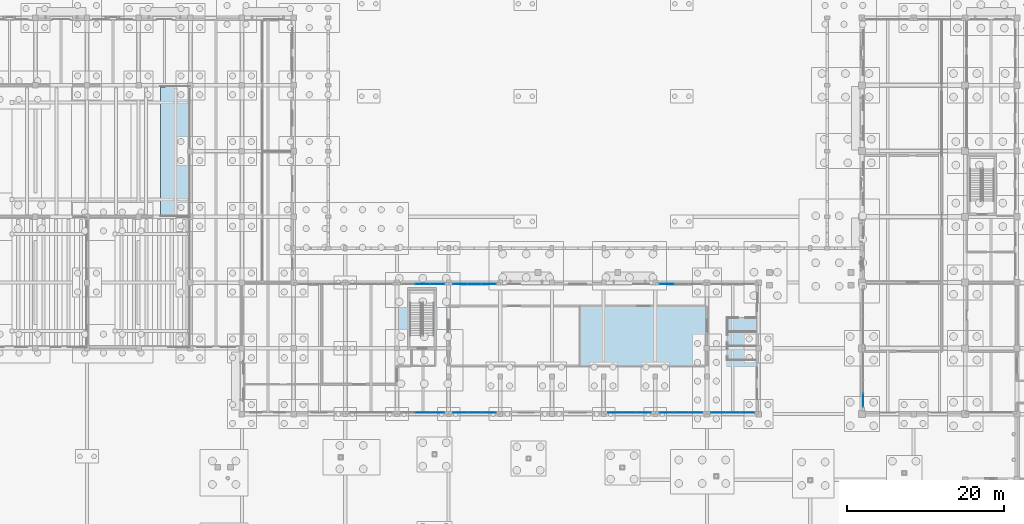
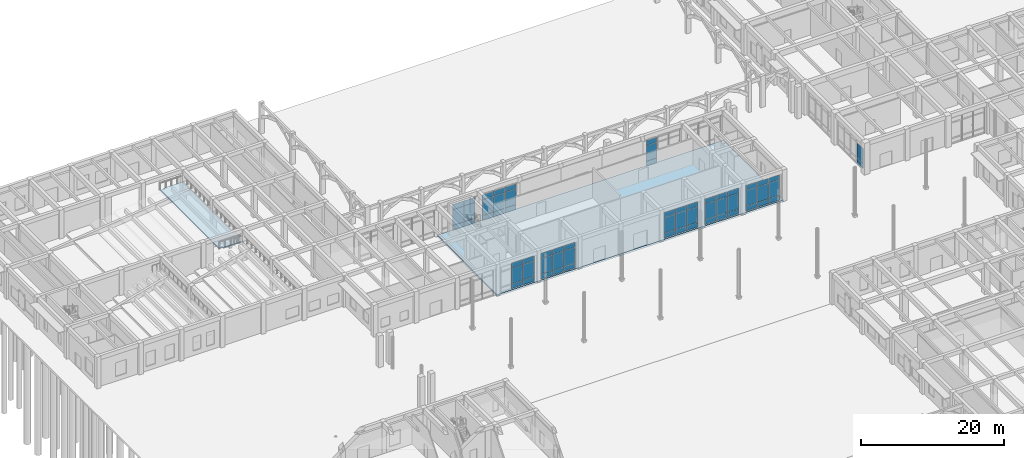
# One storey, part 44 of 82: 62 plates, 2 slabs, 9 elements without a shape of their own.
"""IFC4 building model written with IfcOpenShell, lengths in metres."""

from ifc_helpers import new_model, si_unit, direction, frame, origin, origin_2d, place, context, subcontext, project, spatial, polyline, rectangle, outline, extrude, material, layer, layer_set, type_object, element, aggregate, save


model = new_model("IFC4")

# Units and contexts
model_context = context("Model", 3, precision=1e-05, world=origin(), true_north=direction((0.0, 1.0)))
body_context = subcontext(model_context, "Body", "Model", "MODEL_VIEW")
ifc_project = project(units=[si_unit("LENGTHUNIT", "METRE"), si_unit("AREAUNIT", "SQUARE_METRE"), si_unit("VOLUMEUNIT", "CUBIC_METRE"), si_unit("PLANEANGLEUNIT", "RADIAN"), si_unit("MASSUNIT", "GRAM", prefix="KILO")], contexts=[model_context])

# Site, building, storey
site_placement = place(None, origin())
site = spatial("IfcSite", under=ifc_project, at=site_placement, CompositionType="ELEMENT")
building_placement = place(site_placement, origin())
building = spatial("IfcBuilding", under=site, at=building_placement, Name="Kolvaren Faculty of Natural Sciences", CompositionType="ELEMENT")
storey_placement = place(building_placement, origin())
storey = spatial("IfcBuildingStorey", under=building, at=storey_placement, Name="L00", CompositionType="ELEMENT", Elevation=0.0)

# Curtain wall, plates
ifc_material_1 = material(Name="Thermally broken anodised aluminium framing", Category="aluminium")
ifc_layer_1 = layer(ifc_material_1, 0.179931640625)
ifc_layer_set_1 = layer_set([ifc_layer_1], Name="Thermally broken anodised aluminium framing")
curtain_wall_type_1 = type_object("IfcCurtainWallType", Name="AtriumCurtainWall_CW01", PredefinedType="NOTDEFINED", material=ifc_layer_set_1)
curtain_wall_1_placement = place(storey_placement, origin())
curtain_wall_1 = element("IfcCurtainWall", 1, at=curtain_wall_1_placement, inside=storey, type_object=curtain_wall_type_1, Name="L00 unitised curtain wall CW-01 (CW-L00-001)", PredefinedType="NOTDEFINED")
ifc_material_2 = material(Name="Double low-E solar control insulated glazing", Category="glass")
ifc_layer_2 = layer(ifc_material_2, 0.035888671875)
ifc_layer_set_2 = layer_set([ifc_layer_2], Name="Double low-E solar control insulated glazing")
plate_type_1 = type_object("IfcPlateType", Name="EnvelopePlate_CWPGL1", PredefinedType="CURTAIN_PANEL", material=ifc_layer_set_2)
plate_1_placement = place(storey_placement, frame((104.333251953125, 67.570068359375, 0.919921875), z_axis=(0.0, 0.0, 1.0), x_axis=(-1.0, 0.0, 0.0)))
plate_1 = element("IfcPlate", 2, at=plate_1_placement, type_object=plate_type_1, Name="CW-L00-001 panel 1 V1", PredefinedType="CURTAIN_PANEL", context=body_context, shape_type="SweptSolid", body=[
    extrude(rectangle(XDim=1.783203125, YDim=0.035888671875, at=origin_2d()), origin(), (0.0, 0.0, 1.0), 2.64501953125),
])
plate_2_placement = place(storey_placement, frame((102.5, 67.570068359375, 0.919921875), z_axis=(0.0, 0.0, 1.0), x_axis=(-1.0, 0.0, 0.0)))
plate_2 = element("IfcPlate", 3, at=plate_2_placement, type_object=plate_type_1, Name="CW-L00-001 panel 2 V1", PredefinedType="CURTAIN_PANEL", context=body_context, shape_type="SweptSolid", body=[
    extrude(rectangle(XDim=1.783203125, YDim=0.035888671875, at=origin_2d()), origin(), (0.0, 0.0, 1.0), 2.64501953125),
])
plate_3_placement = place(storey_placement, frame((100.666748046875, 67.570068359375, 0.919921875), z_axis=(0.0, 0.0, 1.0), x_axis=(-1.0, 0.0, 0.0)))
plate_3 = element("IfcPlate", 4, at=plate_3_placement, type_object=plate_type_1, Name="CW-L00-001 panel 3 V1", PredefinedType="CURTAIN_PANEL", context=body_context, shape_type="SweptSolid", body=[
    extrude(rectangle(XDim=1.783203125, YDim=0.035888671875, at=origin_2d()), origin(), (0.0, 0.0, 1.0), 2.64501953125),
])

curtain_wall_2_placement = place(storey_placement, origin())
curtain_wall_2 = element("IfcCurtainWall", 5, at=curtain_wall_2_placement, inside=storey, type_object=curtain_wall_type_1, Name="L00 unitised curtain wall CW-01 (CW-L00-002)", PredefinedType="NOTDEFINED")
plate_4_placement = place(storey_placement, frame((97.7333984375, 67.570068359375, 0.919921875), z_axis=(0.0, 0.0, 1.0), x_axis=(-1.0, 0.0, 0.0)))
plate_4 = element("IfcPlate", 6, at=plate_4_placement, type_object=plate_type_1, Name="CW-L00-002 panel 1 V1", PredefinedType="CURTAIN_PANEL", context=body_context, shape_type="SweptSolid", body=[
    extrude(rectangle(XDim=1.783203125, YDim=0.035888671875, at=origin_2d()), origin(), (0.0, 0.0, 1.0), 2.64501953125),
])
plate_5_placement = place(storey_placement, frame((95.89990234375, 67.570068359375, 0.919921875), z_axis=(0.0, 0.0, 1.0), x_axis=(-1.0, 0.0, 0.0)))
plate_5 = element("IfcPlate", 7, at=plate_5_placement, type_object=plate_type_1, Name="CW-L00-002 panel 2 V1", PredefinedType="CURTAIN_PANEL", context=body_context, shape_type="SweptSolid", body=[
    extrude(rectangle(XDim=1.783203125, YDim=0.035888671875, at=origin_2d()), origin(), (0.0, 0.0, 1.0), 2.64501953125),
])
plate_6_placement = place(storey_placement, frame((94.066650390625, 67.570068359375, 0.919921875), z_axis=(0.0, 0.0, 1.0), x_axis=(-1.0, 0.0, 0.0)))
plate_6 = element("IfcPlate", 8, at=plate_6_placement, type_object=plate_type_1, Name="CW-L00-002 panel 3 V1", PredefinedType="CURTAIN_PANEL", context=body_context, shape_type="SweptSolid", body=[
    extrude(rectangle(XDim=1.783203125, YDim=0.035888671875, at=origin_2d()), origin(), (0.0, 0.0, 1.0), 2.64501953125),
])

curtain_wall_3_placement = place(storey_placement, origin())
curtain_wall_3 = element("IfcCurtainWall", 9, at=curtain_wall_3_placement, inside=storey, type_object=curtain_wall_type_1, Name="L00 unitised curtain wall CW-01 (CW-L00-003)", PredefinedType="NOTDEFINED")
plate_7_placement = place(storey_placement, frame((91.13330078125, 67.570068359375, 0.919921875), z_axis=(0.0, 0.0, 1.0), x_axis=(-1.0, 0.0, 0.0)))
plate_7 = element("IfcPlate", 10, at=plate_7_placement, type_object=plate_type_1, Name="CW-L00-003 panel 1 V1", PredefinedType="CURTAIN_PANEL", context=body_context, shape_type="SweptSolid", body=[
    extrude(rectangle(XDim=1.783203125, YDim=0.035888671875, at=origin_2d()), origin(), (0.0, 0.0, 1.0), 2.64501953125),
])
plate_8_placement = place(storey_placement, frame((89.300048828125, 67.570068359375, 0.919921875), z_axis=(0.0, 0.0, 1.0), x_axis=(-1.0, 0.0, 0.0)))
plate_8 = element("IfcPlate", 11, at=plate_8_placement, type_object=plate_type_1, Name="CW-L00-003 panel 2 V1", PredefinedType="CURTAIN_PANEL", context=body_context, shape_type="SweptSolid", body=[
    extrude(rectangle(XDim=1.783203125, YDim=0.035888671875, at=origin_2d()), origin(), (0.0, 0.0, 1.0), 2.64501953125),
])
plate_9_placement = place(storey_placement, frame((87.466796875, 67.570068359375, 0.919921875), z_axis=(0.0, 0.0, 1.0), x_axis=(-1.0, 0.0, 0.0)))
plate_9 = element("IfcPlate", 12, at=plate_9_placement, type_object=plate_type_1, Name="CW-L00-003 panel 3 V1", PredefinedType="CURTAIN_PANEL", context=body_context, shape_type="SweptSolid", body=[
    extrude(rectangle(XDim=1.783203125, YDim=0.035888671875, at=origin_2d()), origin(), (0.0, 0.0, 1.0), 2.64501953125),
])

curtain_wall_4_placement = place(storey_placement, origin())
curtain_wall_4 = element("IfcCurtainWall", 13, at=curtain_wall_4_placement, inside=storey, type_object=curtain_wall_type_1, Name="L00 unitised curtain wall CW-01 (CW-L00-004)", PredefinedType="NOTDEFINED")
plate_10_placement = place(storey_placement, frame((71.333251953125, 67.570068359375, 0.919921875), z_axis=(0.0, 0.0, 1.0), x_axis=(-1.0, 0.0, 0.0)))
plate_10 = element("IfcPlate", 14, at=plate_10_placement, type_object=plate_type_1, Name="CW-L00-004 panel 1 V1", PredefinedType="CURTAIN_PANEL", context=body_context, shape_type="SweptSolid", body=[
    extrude(rectangle(XDim=1.783203125, YDim=0.035888671875, at=origin_2d()), origin(), (0.0, 0.0, 1.0), 2.64501953125),
])
plate_11_placement = place(storey_placement, frame((69.5, 67.570068359375, 0.919921875), z_axis=(0.0, 0.0, 1.0), x_axis=(-1.0, 0.0, 0.0)))
plate_11 = element("IfcPlate", 15, at=plate_11_placement, type_object=plate_type_1, Name="CW-L00-004 panel 2 V1", PredefinedType="CURTAIN_PANEL", context=body_context, shape_type="SweptSolid", body=[
    extrude(rectangle(XDim=1.783203125, YDim=0.035888671875, at=origin_2d()), origin(), (0.0, 0.0, 1.0), 2.64501953125),
])
plate_12_placement = place(storey_placement, frame((67.666748046875, 67.570068359375, 0.919921875), z_axis=(0.0, 0.0, 1.0), x_axis=(-1.0, 0.0, 0.0)))
plate_12 = element("IfcPlate", 16, at=plate_12_placement, type_object=plate_type_1, Name="CW-L00-004 panel 3 V1", PredefinedType="CURTAIN_PANEL", context=body_context, shape_type="SweptSolid", body=[
    extrude(rectangle(XDim=1.783203125, YDim=0.035888671875, at=origin_2d()), origin(), (0.0, 0.0, 1.0), 2.64501953125),
])

curtain_wall_5_placement = place(storey_placement, origin())
curtain_wall_5 = element("IfcCurtainWall", 17, at=curtain_wall_5_placement, inside=storey, type_object=curtain_wall_type_1, Name="L00 unitised curtain wall CW-01 (CW-L00-005)", PredefinedType="NOTDEFINED")
plate_13_placement = place(storey_placement, frame((64.7333984375, 67.570068359375, 0.919921875), z_axis=(0.0, 0.0, 1.0), x_axis=(-1.0, 0.0, 0.0)))
plate_13 = element("IfcPlate", 18, at=plate_13_placement, type_object=plate_type_1, Name="CW-L00-005 panel 1 V1", PredefinedType="CURTAIN_PANEL", context=body_context, shape_type="SweptSolid", body=[
    extrude(rectangle(XDim=1.783203125, YDim=0.035888671875, at=origin_2d()), origin(), (0.0, 0.0, 1.0), 2.64501953125),
])
plate_14_placement = place(storey_placement, frame((62.89990234375, 67.570068359375, 0.919921875), z_axis=(0.0, 0.0, 1.0), x_axis=(-1.0, 0.0, 0.0)))
plate_14 = element("IfcPlate", 19, at=plate_14_placement, type_object=plate_type_1, Name="CW-L00-005 panel 2 V1", PredefinedType="CURTAIN_PANEL", context=body_context, shape_type="SweptSolid", body=[
    extrude(rectangle(XDim=1.783203125, YDim=0.035888671875, at=origin_2d()), origin(), (0.0, 0.0, 1.0), 2.64501953125),
])

curtain_wall_6_placement = place(storey_placement, origin())
curtain_wall_6 = element("IfcCurtainWall", 20, at=curtain_wall_6_placement, inside=storey, type_object=curtain_wall_type_1, Name="L00 unitised curtain wall CW-01 (CW-L00-009)", PredefinedType="NOTDEFINED")
plate_15_placement = place(storey_placement, frame((62.89990234375, 84.030029296875, 0.919921875), z_axis=(0.0, 0.0, 1.0), x_axis=(1.0, 0.0, 0.0)))
plate_15 = element("IfcPlate", 21, at=plate_15_placement, type_object=plate_type_1, Name="CW-L00-009 panel 2 V1", PredefinedType="CURTAIN_PANEL", context=body_context, shape_type="SweptSolid", body=[
    extrude(rectangle(XDim=1.783203125, YDim=0.035888671875, at=origin_2d()), origin(), (0.0, 0.0, 1.0), 2.64501953125),
])
plate_16_placement = place(storey_placement, frame((64.7333984375, 84.030029296875, 0.919921875), z_axis=(0.0, 0.0, 1.0), x_axis=(1.0, 0.0, 0.0)))
plate_16 = element("IfcPlate", 22, at=plate_16_placement, type_object=plate_type_1, Name="CW-L00-009 panel 3 V1", PredefinedType="CURTAIN_PANEL", context=body_context, shape_type="SweptSolid", body=[
    extrude(rectangle(XDim=1.783203125, YDim=0.035888671875, at=origin_2d()), origin(), (0.0, 0.0, 1.0), 2.64501953125),
])

curtain_wall_7_placement = place(storey_placement, origin())
curtain_wall_7 = element("IfcCurtainWall", 23, at=curtain_wall_7_placement, inside=storey, type_object=curtain_wall_type_1, Name="L00 unitised curtain wall CW-01 (CW-L00-010)", PredefinedType="NOTDEFINED")
plate_17_placement = place(storey_placement, frame((67.666748046875, 84.030029296875, 0.919921875), z_axis=(0.0, 0.0, 1.0), x_axis=(1.0, 0.0, 0.0)))
plate_17 = element("IfcPlate", 24, at=plate_17_placement, type_object=plate_type_1, Name="CW-L00-010 panel 1 V1", PredefinedType="CURTAIN_PANEL", context=body_context, shape_type="SweptSolid", body=[
    extrude(rectangle(XDim=1.783203125, YDim=0.035888671875, at=origin_2d()), origin(), (0.0, 0.0, 1.0), 2.64501953125),
])
plate_18_placement = place(storey_placement, frame((69.5, 84.030029296875, 0.919921875), z_axis=(0.0, 0.0, 1.0), x_axis=(1.0, 0.0, 0.0)))
plate_18 = element("IfcPlate", 25, at=plate_18_placement, type_object=plate_type_1, Name="CW-L00-010 panel 2 V1", PredefinedType="CURTAIN_PANEL", context=body_context, shape_type="SweptSolid", body=[
    extrude(rectangle(XDim=1.783203125, YDim=0.035888671875, at=origin_2d()), origin(), (0.0, 0.0, 1.0), 2.64501953125),
])
plate_19_placement = place(storey_placement, frame((71.333251953125, 84.030029296875, 0.919921875), z_axis=(0.0, 0.0, 1.0), x_axis=(1.0, 0.0, 0.0)))
plate_19 = element("IfcPlate", 26, at=plate_19_placement, type_object=plate_type_1, Name="CW-L00-010 panel 3 V1", PredefinedType="CURTAIN_PANEL", context=body_context, shape_type="SweptSolid", body=[
    extrude(rectangle(XDim=1.783203125, YDim=0.035888671875, at=origin_2d()), origin(), (0.0, 0.0, 1.0), 2.64501953125),
])

# Curtain wall, plate
curtain_wall_8_placement = place(storey_placement, origin())
curtain_wall_8 = element("IfcCurtainWall", 27, at=curtain_wall_8_placement, inside=storey, type_object=curtain_wall_type_1, Name="L00 unitised curtain wall CW-01 (CW-L00-011)", PredefinedType="NOTDEFINED")
plate_20_placement = place(storey_placement, frame((94.066650390625, 84.030029296875, 0.919921875), z_axis=(0.0, 0.0, 1.0), x_axis=(1.0, 0.0, 0.0)))
plate_20 = element("IfcPlate", 28, at=plate_20_placement, type_object=plate_type_1, Name="CW-L00-011 panel 1 V1", PredefinedType="CURTAIN_PANEL", context=body_context, shape_type="SweptSolid", body=[
    extrude(rectangle(XDim=1.783203125, YDim=0.035888671875, at=origin_2d()), origin(), (0.0, 0.0, 1.0), 2.64501953125),
])

ifc_layer_3 = layer(ifc_material_1, 0.179931640625)
ifc_layer_set_3 = layer_set([ifc_layer_3], Name="Thermally broken anodised aluminium framing")
curtain_wall_type_2 = type_object("IfcCurtainWallType", Name="CommonsCurtainWall_CW02", PredefinedType="NOTDEFINED", material=ifc_layer_set_3)
curtain_wall_9_placement = place(storey_placement, origin())
curtain_wall_9 = element("IfcCurtainWall", 29, at=curtain_wall_9_placement, inside=storey, type_object=curtain_wall_type_2, Name="L00 unitised curtain wall CW-02 (CW-L00-014)", PredefinedType="NOTDEFINED")
plate_21_placement = place(storey_placement, frame((119.169921875, 69.159912109375, 0.919921875), z_axis=(0.0, 0.0, 1.0), x_axis=(0.0, 1.0, 0.0)))
plate_21 = element("IfcPlate", 30, at=plate_21_placement, type_object=plate_type_1, Name="CW-L00-014 panel 1 V1", PredefinedType="CURTAIN_PANEL", context=body_context, shape_type="SweptSolid", body=[
    extrude(rectangle(XDim=1.68994140625, YDim=0.035888671875, at=origin_2d()), origin(), (0.0, 0.0, 1.0), 2.544921875),
])

# Plate
ifc_layer_4 = layer(ifc_material_2, 0.035888671875)
ifc_layer_set_4 = layer_set([ifc_layer_4], Name="Double low-E solar control insulated glazing")
plate_type_2 = type_object("IfcPlateType", Name="EnvelopePlate_CWPGL2", PredefinedType="CURTAIN_PANEL", material=ifc_layer_set_4)
plate_22_placement = place(storey_placement, frame((104.333251953125, 67.570068359375, 3.60498046875), z_axis=(0.0, 0.0, 1.0), x_axis=(-1.0, 0.0, 0.0)))
plate_22 = element("IfcPlate", 31, at=plate_22_placement, type_object=plate_type_2, Name="CW-L00-001 panel 1 V2", PredefinedType="CURTAIN_PANEL", context=body_context, shape_type="SweptSolid", body=[
    extrude(rectangle(XDim=1.783203125, YDim=0.035888671875, at=origin_2d()), origin(), (0.0, 0.0, 1.0), 0.830078125),
])

plate_23_placement = place(storey_placement, frame((102.5, 67.570068359375, 3.60498046875), z_axis=(0.0, 0.0, 1.0), x_axis=(-1.0, 0.0, 0.0)))
plate_23 = element("IfcPlate", 32, at=plate_23_placement, type_object=plate_type_2, Name="CW-L00-001 panel 2 V2", PredefinedType="CURTAIN_PANEL", context=body_context, shape_type="SweptSolid", body=[
    extrude(rectangle(XDim=1.783203125, YDim=0.035888671875, at=origin_2d()), origin(), (0.0, 0.0, 1.0), 0.830078125),
])

plate_24_placement = place(storey_placement, frame((100.666748046875, 67.570068359375, 3.60498046875), z_axis=(0.0, 0.0, 1.0), x_axis=(-1.0, 0.0, 0.0)))
plate_24 = element("IfcPlate", 33, at=plate_24_placement, type_object=plate_type_2, Name="CW-L00-001 panel 3 V2", PredefinedType="CURTAIN_PANEL", context=body_context, shape_type="SweptSolid", body=[
    extrude(rectangle(XDim=1.783203125, YDim=0.035888671875, at=origin_2d()), origin(), (0.0, 0.0, 1.0), 0.830078125),
])

plate_25_placement = place(storey_placement, frame((97.7333984375, 67.570068359375, 3.60498046875), z_axis=(0.0, 0.0, 1.0), x_axis=(-1.0, 0.0, 0.0)))
plate_25 = element("IfcPlate", 34, at=plate_25_placement, type_object=plate_type_2, Name="CW-L00-002 panel 1 V2", PredefinedType="CURTAIN_PANEL", context=body_context, shape_type="SweptSolid", body=[
    extrude(rectangle(XDim=1.783203125, YDim=0.035888671875, at=origin_2d()), origin(), (0.0, 0.0, 1.0), 0.830078125),
])

plate_26_placement = place(storey_placement, frame((95.89990234375, 67.570068359375, 3.60498046875), z_axis=(0.0, 0.0, 1.0), x_axis=(-1.0, 0.0, 0.0)))
plate_26 = element("IfcPlate", 35, at=plate_26_placement, type_object=plate_type_2, Name="CW-L00-002 panel 2 V2", PredefinedType="CURTAIN_PANEL", context=body_context, shape_type="SweptSolid", body=[
    extrude(rectangle(XDim=1.783203125, YDim=0.035888671875, at=origin_2d()), origin(), (0.0, 0.0, 1.0), 0.830078125),
])

plate_27_placement = place(storey_placement, frame((94.066650390625, 67.570068359375, 3.60498046875), z_axis=(0.0, 0.0, 1.0), x_axis=(-1.0, 0.0, 0.0)))
plate_27 = element("IfcPlate", 36, at=plate_27_placement, type_object=plate_type_2, Name="CW-L00-002 panel 3 V2", PredefinedType="CURTAIN_PANEL", context=body_context, shape_type="SweptSolid", body=[
    extrude(rectangle(XDim=1.783203125, YDim=0.035888671875, at=origin_2d()), origin(), (0.0, 0.0, 1.0), 0.830078125),
])

plate_28_placement = place(storey_placement, frame((91.13330078125, 67.570068359375, 3.60498046875), z_axis=(0.0, 0.0, 1.0), x_axis=(-1.0, 0.0, 0.0)))
plate_28 = element("IfcPlate", 37, at=plate_28_placement, type_object=plate_type_2, Name="CW-L00-003 panel 1 V2", PredefinedType="CURTAIN_PANEL", context=body_context, shape_type="SweptSolid", body=[
    extrude(rectangle(XDim=1.783203125, YDim=0.035888671875, at=origin_2d()), origin(), (0.0, 0.0, 1.0), 0.830078125),
])

plate_29_placement = place(storey_placement, frame((89.300048828125, 67.570068359375, 3.60498046875), z_axis=(0.0, 0.0, 1.0), x_axis=(-1.0, 0.0, 0.0)))
plate_29 = element("IfcPlate", 38, at=plate_29_placement, type_object=plate_type_2, Name="CW-L00-003 panel 2 V2", PredefinedType="CURTAIN_PANEL", context=body_context, shape_type="SweptSolid", body=[
    extrude(rectangle(XDim=1.783203125, YDim=0.035888671875, at=origin_2d()), origin(), (0.0, 0.0, 1.0), 0.830078125),
])

plate_30_placement = place(storey_placement, frame((87.466796875, 67.570068359375, 3.60498046875), z_axis=(0.0, 0.0, 1.0), x_axis=(-1.0, 0.0, 0.0)))
plate_30 = element("IfcPlate", 39, at=plate_30_placement, type_object=plate_type_2, Name="CW-L00-003 panel 3 V2", PredefinedType="CURTAIN_PANEL", context=body_context, shape_type="SweptSolid", body=[
    extrude(rectangle(XDim=1.783203125, YDim=0.035888671875, at=origin_2d()), origin(), (0.0, 0.0, 1.0), 0.830078125),
])

plate_31_placement = place(storey_placement, frame((71.333251953125, 67.570068359375, 3.60498046875), z_axis=(0.0, 0.0, 1.0), x_axis=(-1.0, 0.0, 0.0)))
plate_31 = element("IfcPlate", 40, at=plate_31_placement, type_object=plate_type_2, Name="CW-L00-004 panel 1 V2", PredefinedType="CURTAIN_PANEL", context=body_context, shape_type="SweptSolid", body=[
    extrude(rectangle(XDim=1.783203125, YDim=0.035888671875, at=origin_2d()), origin(), (0.0, 0.0, 1.0), 0.830078125),
])

plate_32_placement = place(storey_placement, frame((69.5, 67.570068359375, 3.60498046875), z_axis=(0.0, 0.0, 1.0), x_axis=(-1.0, 0.0, 0.0)))
plate_32 = element("IfcPlate", 41, at=plate_32_placement, type_object=plate_type_2, Name="CW-L00-004 panel 2 V2", PredefinedType="CURTAIN_PANEL", context=body_context, shape_type="SweptSolid", body=[
    extrude(rectangle(XDim=1.783203125, YDim=0.035888671875, at=origin_2d()), origin(), (0.0, 0.0, 1.0), 0.830078125),
])

plate_33_placement = place(storey_placement, frame((67.666748046875, 67.570068359375, 3.60498046875), z_axis=(0.0, 0.0, 1.0), x_axis=(-1.0, 0.0, 0.0)))
plate_33 = element("IfcPlate", 42, at=plate_33_placement, type_object=plate_type_2, Name="CW-L00-004 panel 3 V2", PredefinedType="CURTAIN_PANEL", context=body_context, shape_type="SweptSolid", body=[
    extrude(rectangle(XDim=1.783203125, YDim=0.035888671875, at=origin_2d()), origin(), (0.0, 0.0, 1.0), 0.830078125),
])

plate_34_placement = place(storey_placement, frame((64.7333984375, 67.570068359375, 3.60498046875), z_axis=(0.0, 0.0, 1.0), x_axis=(-1.0, 0.0, 0.0)))
plate_34 = element("IfcPlate", 43, at=plate_34_placement, type_object=plate_type_2, Name="CW-L00-005 panel 1 V2", PredefinedType="CURTAIN_PANEL", context=body_context, shape_type="SweptSolid", body=[
    extrude(rectangle(XDim=1.783203125, YDim=0.035888671875, at=origin_2d()), origin(), (0.0, 0.0, 1.0), 0.830078125),
])

plate_35_placement = place(storey_placement, frame((62.89990234375, 67.570068359375, 3.60498046875), z_axis=(0.0, 0.0, 1.0), x_axis=(-1.0, 0.0, 0.0)))
plate_35 = element("IfcPlate", 44, at=plate_35_placement, type_object=plate_type_2, Name="CW-L00-005 panel 2 V2", PredefinedType="CURTAIN_PANEL", context=body_context, shape_type="SweptSolid", body=[
    extrude(rectangle(XDim=1.783203125, YDim=0.035888671875, at=origin_2d()), origin(), (0.0, 0.0, 1.0), 0.830078125),
])

plate_36_placement = place(storey_placement, frame((62.89990234375, 84.030029296875, 3.60498046875), z_axis=(0.0, 0.0, 1.0), x_axis=(1.0, 0.0, 0.0)))
plate_36 = element("IfcPlate", 45, at=plate_36_placement, type_object=plate_type_2, Name="CW-L00-009 panel 2 V2", PredefinedType="CURTAIN_PANEL", context=body_context, shape_type="SweptSolid", body=[
    extrude(rectangle(XDim=1.783203125, YDim=0.035888671875, at=origin_2d()), origin(), (0.0, 0.0, 1.0), 0.830078125),
])

plate_37_placement = place(storey_placement, frame((64.7333984375, 84.030029296875, 3.60498046875), z_axis=(0.0, 0.0, 1.0), x_axis=(1.0, 0.0, 0.0)))
plate_37 = element("IfcPlate", 46, at=plate_37_placement, type_object=plate_type_2, Name="CW-L00-009 panel 3 V2", PredefinedType="CURTAIN_PANEL", context=body_context, shape_type="SweptSolid", body=[
    extrude(rectangle(XDim=1.783203125, YDim=0.035888671875, at=origin_2d()), origin(), (0.0, 0.0, 1.0), 0.830078125),
])

plate_38_placement = place(storey_placement, frame((67.666748046875, 84.030029296875, 3.60498046875), z_axis=(0.0, 0.0, 1.0), x_axis=(1.0, 0.0, 0.0)))
plate_38 = element("IfcPlate", 47, at=plate_38_placement, type_object=plate_type_2, Name="CW-L00-010 panel 1 V2", PredefinedType="CURTAIN_PANEL", context=body_context, shape_type="SweptSolid", body=[
    extrude(rectangle(XDim=1.783203125, YDim=0.035888671875, at=origin_2d()), origin(), (0.0, 0.0, 1.0), 0.830078125),
])

plate_39_placement = place(storey_placement, frame((69.5, 84.030029296875, 3.60498046875), z_axis=(0.0, 0.0, 1.0), x_axis=(1.0, 0.0, 0.0)))
plate_39 = element("IfcPlate", 48, at=plate_39_placement, type_object=plate_type_2, Name="CW-L00-010 panel 2 V2", PredefinedType="CURTAIN_PANEL", context=body_context, shape_type="SweptSolid", body=[
    extrude(rectangle(XDim=1.783203125, YDim=0.035888671875, at=origin_2d()), origin(), (0.0, 0.0, 1.0), 0.830078125),
])

plate_40_placement = place(storey_placement, frame((71.333251953125, 84.030029296875, 3.60498046875), z_axis=(0.0, 0.0, 1.0), x_axis=(1.0, 0.0, 0.0)))
plate_40 = element("IfcPlate", 49, at=plate_40_placement, type_object=plate_type_2, Name="CW-L00-010 panel 3 V2", PredefinedType="CURTAIN_PANEL", context=body_context, shape_type="SweptSolid", body=[
    extrude(rectangle(XDim=1.783203125, YDim=0.035888671875, at=origin_2d()), origin(), (0.0, 0.0, 1.0), 0.830078125),
])

plate_41_placement = place(storey_placement, frame((94.066650390625, 84.030029296875, 3.60498046875), z_axis=(0.0, 0.0, 1.0), x_axis=(1.0, 0.0, 0.0)))
plate_41 = element("IfcPlate", 50, at=plate_41_placement, type_object=plate_type_2, Name="CW-L00-011 panel 1 V2", PredefinedType="CURTAIN_PANEL", context=body_context, shape_type="SweptSolid", body=[
    extrude(rectangle(XDim=1.783203125, YDim=0.035888671875, at=origin_2d()), origin(), (0.0, 0.0, 1.0), 0.830078125),
])

ifc_material_3 = material(Name="Insulated anodised aluminium spandrel panel", Category="aluminium")
ifc_layer_5 = layer(ifc_material_3, 0.050048828125)
ifc_layer_set_5 = layer_set([ifc_layer_5], Name="Insulated anodised aluminium spandrel panel")
plate_type_3 = type_object("IfcPlateType", Name="EnvelopePlate_CWPSP1", PredefinedType="SHEET", material=ifc_layer_set_5)
plate_42_placement = place(storey_placement, frame((104.333251953125, 67.570068359375, 0.10009765625), z_axis=(0.0, 0.0, 1.0), x_axis=(-1.0, 0.0, 0.0)))
plate_42 = element("IfcPlate", 51, at=plate_42_placement, type_object=plate_type_3, Name="CW-L00-001 panel 1 SP", PredefinedType="SHEET", context=body_context, shape_type="SweptSolid", body=[
    extrude(rectangle(XDim=1.783203125, YDim=0.050048828125, at=origin_2d()), origin(), (0.0, 0.0, 1.0), 0.780029296875),
])

plate_43_placement = place(storey_placement, frame((102.5, 67.570068359375, 0.10009765625), z_axis=(0.0, 0.0, 1.0), x_axis=(-1.0, 0.0, 0.0)))
plate_43 = element("IfcPlate", 52, at=plate_43_placement, type_object=plate_type_3, Name="CW-L00-001 panel 2 SP", PredefinedType="SHEET", context=body_context, shape_type="SweptSolid", body=[
    extrude(rectangle(XDim=1.783203125, YDim=0.050048828125, at=origin_2d()), origin(), (0.0, 0.0, 1.0), 0.780029296875),
])

plate_44_placement = place(storey_placement, frame((100.666748046875, 67.570068359375, 0.10009765625), z_axis=(0.0, 0.0, 1.0), x_axis=(-1.0, 0.0, 0.0)))
plate_44 = element("IfcPlate", 53, at=plate_44_placement, type_object=plate_type_3, Name="CW-L00-001 panel 3 SP", PredefinedType="SHEET", context=body_context, shape_type="SweptSolid", body=[
    extrude(rectangle(XDim=1.783203125, YDim=0.050048828125, at=origin_2d()), origin(), (0.0, 0.0, 1.0), 0.780029296875),
])

aggregate(curtain_wall_1, [plate_42, plate_1, plate_22, plate_43, plate_2, plate_23, plate_44, plate_3, plate_24])

plate_45_placement = place(storey_placement, frame((97.7333984375, 67.570068359375, 0.10009765625), z_axis=(0.0, 0.0, 1.0), x_axis=(-1.0, 0.0, 0.0)))
plate_45 = element("IfcPlate", 54, at=plate_45_placement, type_object=plate_type_3, Name="CW-L00-002 panel 1 SP", PredefinedType="SHEET", context=body_context, shape_type="SweptSolid", body=[
    extrude(rectangle(XDim=1.783203125, YDim=0.050048828125, at=origin_2d()), origin(), (0.0, 0.0, 1.0), 0.780029296875),
])

plate_46_placement = place(storey_placement, frame((95.89990234375, 67.570068359375, 0.10009765625), z_axis=(0.0, 0.0, 1.0), x_axis=(-1.0, 0.0, 0.0)))
plate_46 = element("IfcPlate", 55, at=plate_46_placement, type_object=plate_type_3, Name="CW-L00-002 panel 2 SP", PredefinedType="SHEET", context=body_context, shape_type="SweptSolid", body=[
    extrude(rectangle(XDim=1.783203125, YDim=0.050048828125, at=origin_2d()), origin(), (0.0, 0.0, 1.0), 0.780029296875),
])

plate_47_placement = place(storey_placement, frame((94.066650390625, 67.570068359375, 0.10009765625), z_axis=(0.0, 0.0, 1.0), x_axis=(-1.0, 0.0, 0.0)))
plate_47 = element("IfcPlate", 56, at=plate_47_placement, type_object=plate_type_3, Name="CW-L00-002 panel 3 SP", PredefinedType="SHEET", context=body_context, shape_type="SweptSolid", body=[
    extrude(rectangle(XDim=1.783203125, YDim=0.050048828125, at=origin_2d()), origin(), (0.0, 0.0, 1.0), 0.780029296875),
])

aggregate(curtain_wall_2, [plate_45, plate_4, plate_25, plate_46, plate_5, plate_26, plate_47, plate_6, plate_27])

plate_48_placement = place(storey_placement, frame((91.13330078125, 67.570068359375, 0.10009765625), z_axis=(0.0, 0.0, 1.0), x_axis=(-1.0, 0.0, 0.0)))
plate_48 = element("IfcPlate", 57, at=plate_48_placement, type_object=plate_type_3, Name="CW-L00-003 panel 1 SP", PredefinedType="SHEET", context=body_context, shape_type="SweptSolid", body=[
    extrude(rectangle(XDim=1.783203125, YDim=0.050048828125, at=origin_2d()), origin(), (0.0, 0.0, 1.0), 0.780029296875),
])

plate_49_placement = place(storey_placement, frame((89.300048828125, 67.570068359375, 0.10009765625), z_axis=(0.0, 0.0, 1.0), x_axis=(-1.0, 0.0, 0.0)))
plate_49 = element("IfcPlate", 58, at=plate_49_placement, type_object=plate_type_3, Name="CW-L00-003 panel 2 SP", PredefinedType="SHEET", context=body_context, shape_type="SweptSolid", body=[
    extrude(rectangle(XDim=1.783203125, YDim=0.050048828125, at=origin_2d()), origin(), (0.0, 0.0, 1.0), 0.780029296875),
])

plate_50_placement = place(storey_placement, frame((87.466796875, 67.570068359375, 0.10009765625), z_axis=(0.0, 0.0, 1.0), x_axis=(-1.0, 0.0, 0.0)))
plate_50 = element("IfcPlate", 59, at=plate_50_placement, type_object=plate_type_3, Name="CW-L00-003 panel 3 SP", PredefinedType="SHEET", context=body_context, shape_type="SweptSolid", body=[
    extrude(rectangle(XDim=1.783203125, YDim=0.050048828125, at=origin_2d()), origin(), (0.0, 0.0, 1.0), 0.780029296875),
])

aggregate(curtain_wall_3, [plate_48, plate_7, plate_28, plate_49, plate_8, plate_29, plate_50, plate_9, plate_30])

plate_51_placement = place(storey_placement, frame((71.333251953125, 67.570068359375, 0.10009765625), z_axis=(0.0, 0.0, 1.0), x_axis=(-1.0, 0.0, 0.0)))
plate_51 = element("IfcPlate", 60, at=plate_51_placement, type_object=plate_type_3, Name="CW-L00-004 panel 1 SP", PredefinedType="SHEET", context=body_context, shape_type="SweptSolid", body=[
    extrude(rectangle(XDim=1.783203125, YDim=0.050048828125, at=origin_2d()), origin(), (0.0, 0.0, 1.0), 0.780029296875),
])

plate_52_placement = place(storey_placement, frame((69.5, 67.570068359375, 0.10009765625), z_axis=(0.0, 0.0, 1.0), x_axis=(-1.0, 0.0, 0.0)))
plate_52 = element("IfcPlate", 61, at=plate_52_placement, type_object=plate_type_3, Name="CW-L00-004 panel 2 SP", PredefinedType="SHEET", context=body_context, shape_type="SweptSolid", body=[
    extrude(rectangle(XDim=1.783203125, YDim=0.050048828125, at=origin_2d()), origin(), (0.0, 0.0, 1.0), 0.780029296875),
])

plate_53_placement = place(storey_placement, frame((67.666748046875, 67.570068359375, 0.10009765625), z_axis=(0.0, 0.0, 1.0), x_axis=(-1.0, 0.0, 0.0)))
plate_53 = element("IfcPlate", 62, at=plate_53_placement, type_object=plate_type_3, Name="CW-L00-004 panel 3 SP", PredefinedType="SHEET", context=body_context, shape_type="SweptSolid", body=[
    extrude(rectangle(XDim=1.783203125, YDim=0.050048828125, at=origin_2d()), origin(), (0.0, 0.0, 1.0), 0.780029296875),
])

aggregate(curtain_wall_4, [plate_51, plate_10, plate_31, plate_52, plate_11, plate_32, plate_53, plate_12, plate_33])

plate_54_placement = place(storey_placement, frame((64.7333984375, 67.570068359375, 0.10009765625), z_axis=(0.0, 0.0, 1.0), x_axis=(-1.0, 0.0, 0.0)))
plate_54 = element("IfcPlate", 63, at=plate_54_placement, type_object=plate_type_3, Name="CW-L00-005 panel 1 SP", PredefinedType="SHEET", context=body_context, shape_type="SweptSolid", body=[
    extrude(rectangle(XDim=1.783203125, YDim=0.050048828125, at=origin_2d()), origin(), (0.0, 0.0, 1.0), 0.780029296875),
])

plate_55_placement = place(storey_placement, frame((62.89990234375, 67.570068359375, 0.10009765625), z_axis=(0.0, 0.0, 1.0), x_axis=(-1.0, 0.0, 0.0)))
plate_55 = element("IfcPlate", 64, at=plate_55_placement, type_object=plate_type_3, Name="CW-L00-005 panel 2 SP", PredefinedType="SHEET", context=body_context, shape_type="SweptSolid", body=[
    extrude(rectangle(XDim=1.783203125, YDim=0.050048828125, at=origin_2d()), origin(), (0.0, 0.0, 1.0), 0.780029296875),
])

aggregate(curtain_wall_5, [plate_54, plate_13, plate_34, plate_55, plate_14, plate_35])

plate_56_placement = place(storey_placement, frame((62.89990234375, 84.030029296875, 0.10009765625), z_axis=(0.0, 0.0, 1.0), x_axis=(1.0, 0.0, 0.0)))
plate_56 = element("IfcPlate", 65, at=plate_56_placement, type_object=plate_type_3, Name="CW-L00-009 panel 2 SP", PredefinedType="SHEET", context=body_context, shape_type="SweptSolid", body=[
    extrude(rectangle(XDim=1.783203125, YDim=0.050048828125, at=origin_2d()), origin(), (0.0, 0.0, 1.0), 0.780029296875),
])

plate_57_placement = place(storey_placement, frame((64.7333984375, 84.030029296875, 0.10009765625), z_axis=(0.0, 0.0, 1.0), x_axis=(1.0, 0.0, 0.0)))
plate_57 = element("IfcPlate", 66, at=plate_57_placement, type_object=plate_type_3, Name="CW-L00-009 panel 3 SP", PredefinedType="SHEET", context=body_context, shape_type="SweptSolid", body=[
    extrude(rectangle(XDim=1.783203125, YDim=0.050048828125, at=origin_2d()), origin(), (0.0, 0.0, 1.0), 0.780029296875),
])

aggregate(curtain_wall_6, [plate_56, plate_15, plate_36, plate_57, plate_16, plate_37])

plate_58_placement = place(storey_placement, frame((67.666748046875, 84.030029296875, 0.10009765625), z_axis=(0.0, 0.0, 1.0), x_axis=(1.0, 0.0, 0.0)))
plate_58 = element("IfcPlate", 67, at=plate_58_placement, type_object=plate_type_3, Name="CW-L00-010 panel 1 SP", PredefinedType="SHEET", context=body_context, shape_type="SweptSolid", body=[
    extrude(rectangle(XDim=1.783203125, YDim=0.050048828125, at=origin_2d()), origin(), (0.0, 0.0, 1.0), 0.780029296875),
])

plate_59_placement = place(storey_placement, frame((69.5, 84.030029296875, 0.10009765625), z_axis=(0.0, 0.0, 1.0), x_axis=(1.0, 0.0, 0.0)))
plate_59 = element("IfcPlate", 68, at=plate_59_placement, type_object=plate_type_3, Name="CW-L00-010 panel 2 SP", PredefinedType="SHEET", context=body_context, shape_type="SweptSolid", body=[
    extrude(rectangle(XDim=1.783203125, YDim=0.050048828125, at=origin_2d()), origin(), (0.0, 0.0, 1.0), 0.780029296875),
])

plate_60_placement = place(storey_placement, frame((71.333251953125, 84.030029296875, 0.10009765625), z_axis=(0.0, 0.0, 1.0), x_axis=(1.0, 0.0, 0.0)))
plate_60 = element("IfcPlate", 69, at=plate_60_placement, type_object=plate_type_3, Name="CW-L00-010 panel 3 SP", PredefinedType="SHEET", context=body_context, shape_type="SweptSolid", body=[
    extrude(rectangle(XDim=1.783203125, YDim=0.050048828125, at=origin_2d()), origin(), (0.0, 0.0, 1.0), 0.780029296875),
])

aggregate(curtain_wall_7, [plate_58, plate_17, plate_38, plate_59, plate_18, plate_39, plate_60, plate_19, plate_40])

plate_61_placement = place(storey_placement, frame((94.066650390625, 84.030029296875, 0.10009765625), z_axis=(0.0, 0.0, 1.0), x_axis=(1.0, 0.0, 0.0)))
plate_61 = element("IfcPlate", 70, at=plate_61_placement, type_object=plate_type_3, Name="CW-L00-011 panel 1 SP", PredefinedType="SHEET", context=body_context, shape_type="SweptSolid", body=[
    extrude(rectangle(XDim=1.783203125, YDim=0.050048828125, at=origin_2d()), origin(), (0.0, 0.0, 1.0), 0.780029296875),
])

aggregate(curtain_wall_8, [plate_61, plate_20, plate_41])

plate_62_placement = place(storey_placement, frame((119.169921875, 69.159912109375, 0.10009765625), z_axis=(0.0, 0.0, 1.0), x_axis=(0.0, 1.0, 0.0)))
plate_62 = element("IfcPlate", 71, at=plate_62_placement, type_object=plate_type_3, Name="CW-L00-014 panel 1 SP", PredefinedType="SHEET", context=body_context, shape_type="SweptSolid", body=[
    extrude(rectangle(XDim=1.68994140625, YDim=0.050048828125, at=origin_2d()), origin(), (0.0, 0.0, 1.0), 0.780029296875),
])

aggregate(curtain_wall_9, [plate_62, plate_21])

# Slabs
ifc_material_4 = material(Name="Concrete C35/45", Category="concrete")
ifc_layer_6 = layer(ifc_material_4, 0.320068359375)
ifc_layer_set_6 = layer_set([ifc_layer_6], Name="Concrete C35/45")
slab_type_1 = type_object("IfcSlabType", Name="GroundSlab_320", PredefinedType="FLOOR", material=ifc_layer_set_6)
slab_1_placement = place(storey_placement, frame((0.0, 0.0, -0.320068359375)))
element("IfcSlab", 72, at=slab_1_placement, inside=storey, type_object=slab_type_1, Name="L00 V3 structural slab 2", PredefinedType="FLOOR", context=body_context, shape_type="SweptSolid", body=[
    extrude(outline(polyline([(59.60009765625, 84.199951171875), (105.800048828125, 84.199951171875), (105.800048828125, 67.39990234375), (59.60009765625, 67.39990234375), (59.60009765625, 84.199951171875)])), origin(), (0.0, 0.0, 1.0), 0.320068359375),
])
ifc_layer_7 = layer(ifc_material_4, 0.18994140625)
ifc_layer_set_7 = layer_set([ifc_layer_7], Name="Concrete C35/45")
slab_type_2 = type_object("IfcSlabType", Name="SeatingTierSlab_190", PredefinedType="USERDEFINED", material=ifc_layer_set_7)
slab_2_placement = place(storey_placement, frame((0.0, 0.0, 2.929931640625)))
element("IfcSlab", 73, at=slab_2_placement, inside=storey, type_object=slab_type_2, Name="Stand LT-1 seating tier row 6", ObjectType="SEATING TIER", PredefinedType="USERDEFINED", context=body_context, shape_type="SweptSolid", body=[
    extrude(outline(polyline([(29.39990234375, 92.85009765625), (30.0, 92.85009765625), (30.0, 92.64990234375), (33.25, 92.64990234375), (33.25, 109.35009765625), (30.0, 109.35009765625), (30.0, 109.14990234375), (29.39990234375, 109.14990234375), (29.39990234375, 92.85009765625)])), origin(), (0.0, 0.0, 1.0), 0.190185546875),
])

save(model, "model.ifc")
